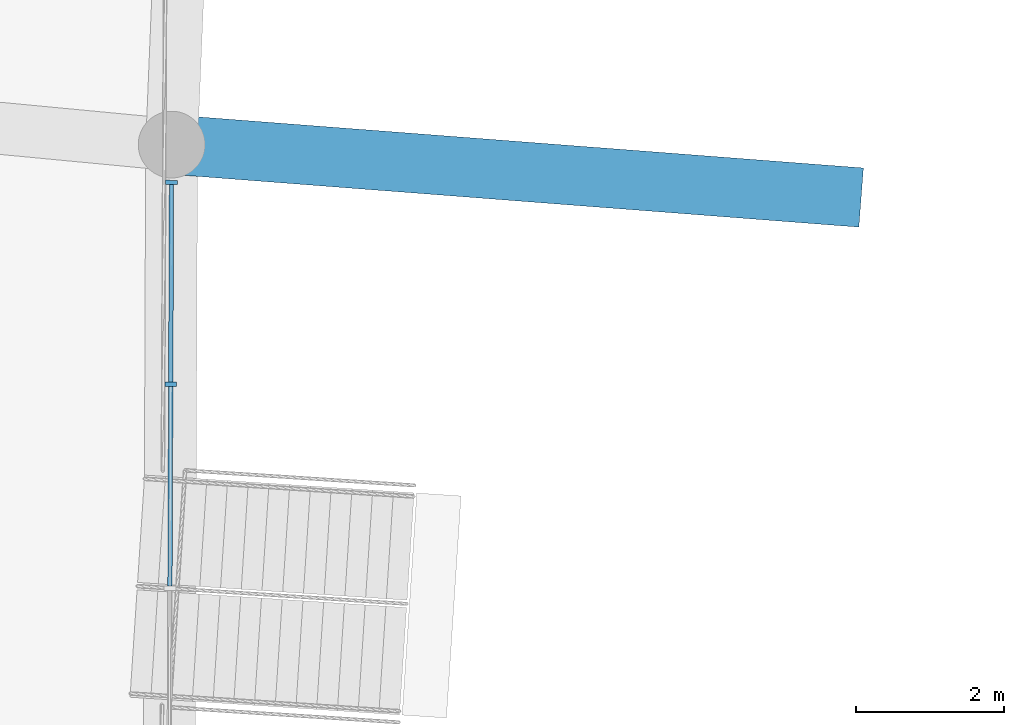
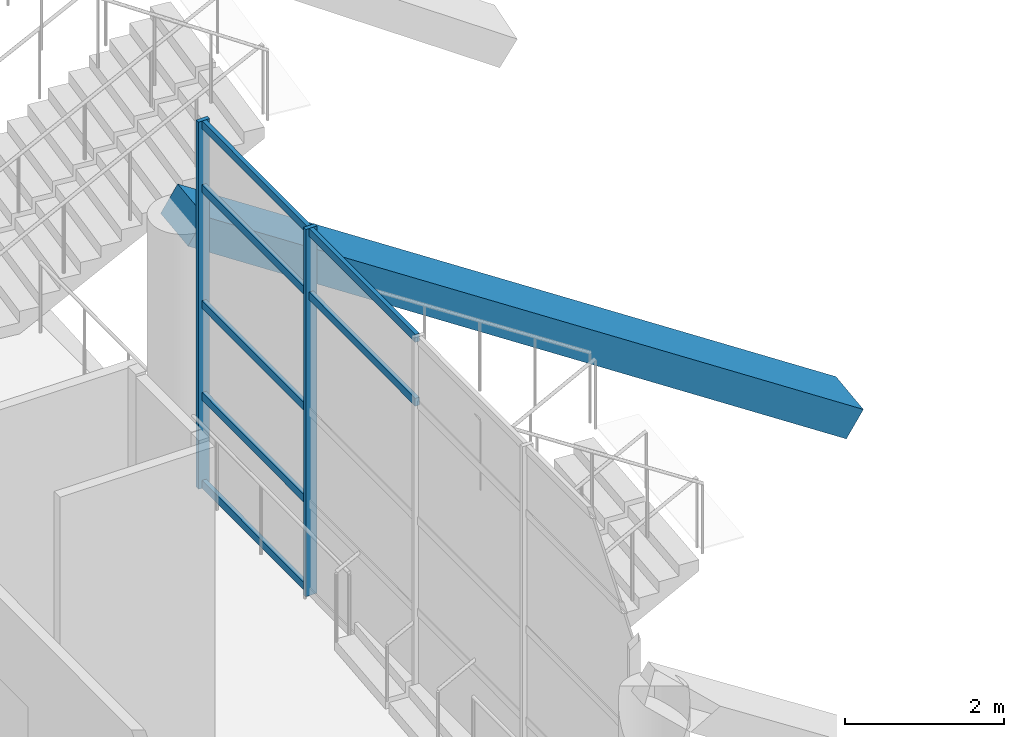
# One storey, part 16 of 173: 9 members, 1 beam, 1 element without a shape of its own.
"""IFC4 building model written with IfcOpenShell, lengths in metres."""

from ifc_helpers import new_model, si_unit, direction, frame, origin, origin_2d, place, context, subcontext, project, spatial, rectangle, extrude, material, layer, layer_set, material_profile, profile_set, type_object, element, aggregate, save


model = new_model("IFC4")

# Units and contexts
model_context = context("Model", 3, precision=1e-05, world=origin(), true_north=direction((0.0, 1.0)))
body_context = subcontext(model_context, "Body", "Model", "MODEL_VIEW")
ifc_project = project(units=[si_unit("LENGTHUNIT", "METRE"), si_unit("AREAUNIT", "SQUARE_METRE"), si_unit("VOLUMEUNIT", "CUBIC_METRE"), si_unit("PLANEANGLEUNIT", "RADIAN"), si_unit("MASSUNIT", "GRAM", prefix="KILO")], contexts=[model_context])

# Site, building, storey
site_placement = place(None, origin())
site = spatial("IfcSite", under=ifc_project, at=site_placement, CompositionType="ELEMENT")
building_placement = place(site_placement, origin())
building = spatial("IfcBuilding", under=site, at=building_placement, Name="Meseta Stadium", CompositionType="ELEMENT")
storey_placement = place(building_placement, frame((0.0, 0.0, 18.0)))
storey = spatial("IfcBuildingStorey", under=building, at=storey_placement, Name="L03", CompositionType="ELEMENT", Elevation=18.0)

# Curtain wall, members
ifc_material_1 = material(Name="Aluminium", Category="aluminium")
ifc_layer = layer(ifc_material_1, 0.25)
ifc_layer_set = layer_set([ifc_layer], Name="Media Centre glazing curtain wall")
curtain_wall_type = type_object("IfcCurtainWallType", Name="Media Centre glazing curtain wall", PredefinedType="NOTDEFINED", material=ifc_layer_set)
curtain_wall_placement = place(storey_placement, origin())
curtain_wall = element("IfcCurtainWall", 1, at=curtain_wall_placement, inside=storey, type_object=curtain_wall_type, Name="Media Centre glazing bay 29", PredefinedType="NOTDEFINED")
ifc_material_2 = material(Name="Aluminium", Category="aluminium")
ifc_material_profile_1 = material_profile(ifc_material_2, rectangle(XDim=0.159912109375, YDim=0.06005859375, at=origin_2d()), Name="CW 160x60")
ifc_profile_set_1 = profile_set([ifc_material_profile_1], Name="Aluminium")
member_type_1 = type_object("IfcMemberType", Name="CW mullion 60x160", PredefinedType="MULLION", material=ifc_profile_set_1)
member_1_placement = place(storey_placement, frame((-73.40673828125, 41.35205078125, 0.0), z_axis=(0.0, 0.0, 1.0), x_axis=(0.999992414042, -0.003895107102, 0.0)))
member_1 = element("IfcMember", 2, at=member_1_placement, type_object=member_type_1, Name="CWM mullion 1", PredefinedType="MULLION", context=body_context, shape_type="SweptSolid", body=[
    extrude(rectangle(XDim=0.159912109375, YDim=0.06005859375, at=origin_2d()), origin(), (0.0, 0.0, 1.0), 5.64990234375),
])
member_2_placement = place(storey_placement, frame((-73.417236328125, 38.63232421875, 0.0), z_axis=(0.0, 0.0, 1.0), x_axis=(0.999992414042, -0.003895107102, 0.0)))
member_2 = element("IfcMember", 3, at=member_2_placement, type_object=member_type_1, Name="CWM mullion 2", PredefinedType="MULLION", context=body_context, shape_type="SweptSolid", body=[
    extrude(rectangle(XDim=0.159912109375, YDim=0.06005859375, at=origin_2d()), origin(), (0.0, 0.0, 1.0), 5.64990234375),
])
ifc_material_3 = material(Name="Aluminium", Category="aluminium")
ifc_material_profile_2 = material_profile(ifc_material_3, rectangle(XDim=0.06005859375, YDim=0.1201171875, at=origin_2d()), Name="CW 60x120")
ifc_profile_set_2 = profile_set([ifc_material_profile_2], Name="Aluminium")
member_type_2 = type_object("IfcMemberType", Name="CW transom 60x120", PredefinedType="USERDEFINED", material=ifc_profile_set_2)
member_3_placement = place(storey_placement, frame((-73.40673828125, 41.322021484375, 0.06005859375), z_axis=(-0.003947096111, -0.999992210186, 0.0), x_axis=(0.999992210186, -0.003947096111, 0.0)))
member_3 = element("IfcMember", 4, at=member_3_placement, type_object=member_type_2, Name="CWM transom 1.1", ObjectType="TRANSOM", PredefinedType="USERDEFINED", context=body_context, shape_type="SweptSolid", body=[
    extrude(rectangle(XDim=0.06005859375, YDim=0.1201171875, at=origin_2d()), origin(), (0.0, 0.0, 1.0), 2.65966796875),
])
member_4_placement = place(storey_placement, frame((-73.40673828125, 41.322021484375, 1.41259765625), z_axis=(-0.003947096111, -0.999992210186, 0.0), x_axis=(0.999992210186, -0.003947096111, 0.0)))
member_4 = element("IfcMember", 5, at=member_4_placement, type_object=member_type_2, Name="CWM transom 1.2", ObjectType="TRANSOM", PredefinedType="USERDEFINED", context=body_context, shape_type="SweptSolid", body=[
    extrude(rectangle(XDim=0.06005859375, YDim=0.1201171875, at=origin_2d()), origin(), (0.0, 0.0, 1.0), 2.65966796875),
])
member_5_placement = place(storey_placement, frame((-73.40673828125, 41.322021484375, 2.824951171875), z_axis=(-0.003947096111, -0.999992210186, 0.0), x_axis=(0.999992210186, -0.003947096111, 0.0)))
member_5 = element("IfcMember", 6, at=member_5_placement, type_object=member_type_2, Name="CWM transom 1.3", ObjectType="TRANSOM", PredefinedType="USERDEFINED", context=body_context, shape_type="SweptSolid", body=[
    extrude(rectangle(XDim=0.06005859375, YDim=0.1201171875, at=origin_2d()), origin(), (0.0, 0.0, 1.0), 2.65966796875),
])
member_6_placement = place(storey_placement, frame((-73.40673828125, 41.322021484375, 4.609130859375), z_axis=(-0.003947096111, -0.999992210186, 0.0), x_axis=(0.999992210186, -0.003947096111, 0.0)))
member_6 = element("IfcMember", 7, at=member_6_placement, type_object=member_type_2, Name="CWM transom 1.4", ObjectType="TRANSOM", PredefinedType="USERDEFINED", context=body_context, shape_type="SweptSolid", body=[
    extrude(rectangle(XDim=0.06005859375, YDim=0.1201171875, at=origin_2d()), origin(), (0.0, 0.0, 1.0), 2.65966796875),
])
member_7_placement = place(storey_placement, frame((-73.40673828125, 41.322021484375, 5.590087890625), z_axis=(-0.003947096111, -0.999992210186, 0.0), x_axis=(0.999992210186, -0.003947096111, 0.0)))
member_7 = element("IfcMember", 8, at=member_7_placement, type_object=member_type_2, Name="CWM transom 1.5", ObjectType="TRANSOM", PredefinedType="USERDEFINED", context=body_context, shape_type="SweptSolid", body=[
    extrude(rectangle(XDim=0.06005859375, YDim=0.1201171875, at=origin_2d()), origin(), (0.0, 0.0, 1.0), 2.65966796875),
])
member_8_placement = place(storey_placement, frame((-73.41748046875, 38.602294921875, 4.609130859375), z_axis=(-0.00390338348, -0.99999238177, 0.0), x_axis=(0.99999238177, -0.00390338348, 0.0)))
member_8 = element("IfcMember", 9, at=member_8_placement, type_object=member_type_2, Name="CWM transom 2.4", ObjectType="TRANSOM", PredefinedType="USERDEFINED", context=body_context, shape_type="SweptSolid", body=[
    extrude(rectangle(XDim=0.06005859375, YDim=0.1201171875, at=origin_2d()), origin(), (0.0, 0.0, 1.0), 2.689453125),
])
member_9_placement = place(storey_placement, frame((-73.41748046875, 38.602294921875, 5.590087890625), z_axis=(-0.00390338348, -0.99999238177, 0.0), x_axis=(0.99999238177, -0.00390338348, 0.0)))
member_9 = element("IfcMember", 10, at=member_9_placement, type_object=member_type_2, Name="CWM transom 2.5", ObjectType="TRANSOM", PredefinedType="USERDEFINED", context=body_context, shape_type="SweptSolid", body=[
    extrude(rectangle(XDim=0.06005859375, YDim=0.1201171875, at=origin_2d()), origin(), (0.0, 0.0, 1.0), 2.689453125),
])
aggregate(curtain_wall, [member_1, member_2, member_3, member_4, member_5, member_6, member_7, member_8, member_9])

# Beam
ifc_material_4 = material(Name="Concrete C40/50", Category="concrete")
ifc_material_profile_3 = material_profile(ifc_material_4, rectangle(XDim=0.800048828125, YDim=0.449951171875, at=origin_2d()), Name="RC 800x450")
ifc_profile_set_3 = profile_set([ifc_material_profile_3], Name="Concrete C40/50")
beam_type = type_object("IfcBeamType", Name="RC raker upper rear 800x450", PredefinedType="USERDEFINED", material=ifc_profile_set_3)
beam_placement = place(storey_placement, frame((-64.231689453125, 41.158203125, -1.885009765625), z_axis=(-0.84553341702, 0.064900816402, 0.529963323951), x_axis=(-0.076532125793, -0.997067115956, 0.0)))
element("IfcBeam", 11, at=beam_placement, inside=storey, type_object=beam_type, Name="Raker upper rear frame 29 upper tier", ObjectType="RAKER", PredefinedType="USERDEFINED", context=body_context, shape_type="SweptSolid", body=[
    extrude(rectangle(XDim=0.800048828125, YDim=0.449951171875, at=origin_2d()), origin(), (0.0, 0.0, 1.0), 10.848876953125),
])

save(model, "model.ifc")
